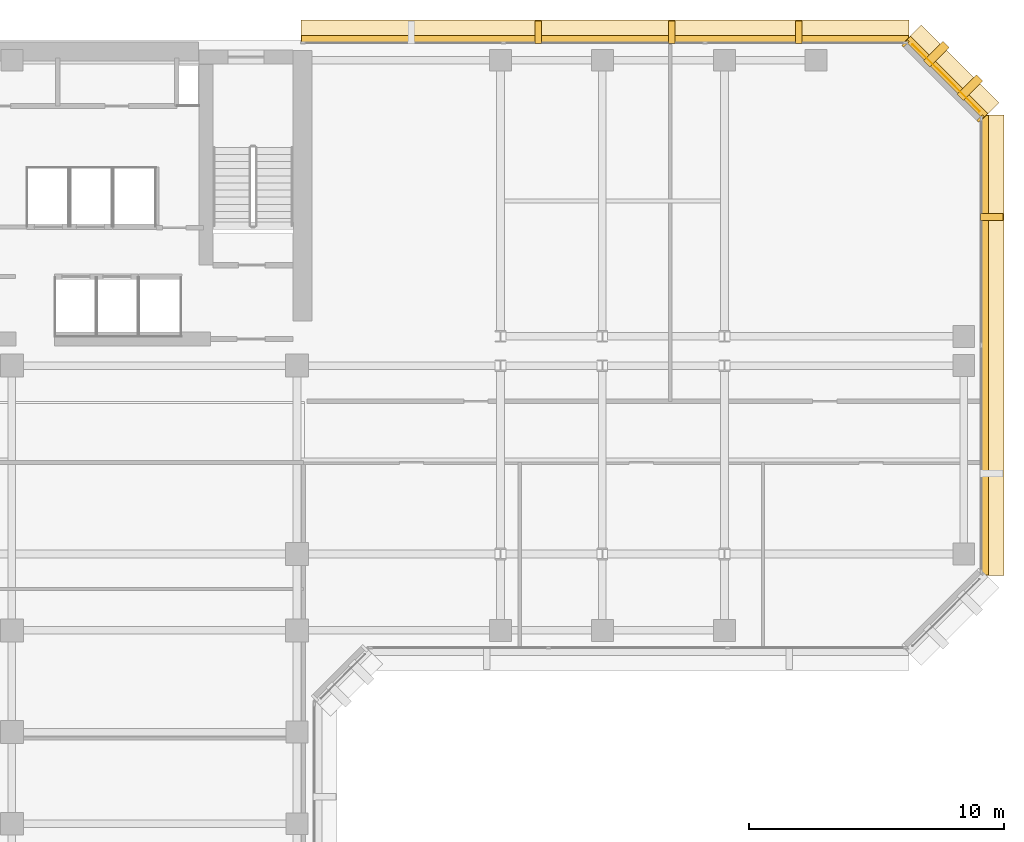
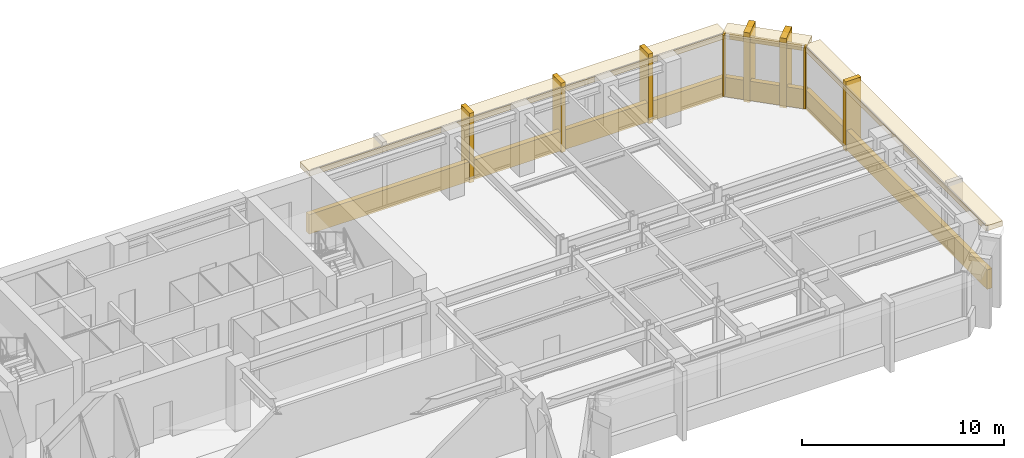
# One storey, part 11 of 11: 15 coverings.
"""IFC4 building model written with IfcOpenShell, lengths in metres."""

import ifcopenshell
import ifcopenshell.guid

model = None  # the IFC model being written
_history = None  # IfcOwnerHistory: only IFC2X3 demands one
_inside = {}  # id of a spatial element -> (the spatial element, [elements in it])
_under = {}  # id of a project, library or spatial element -> (it, [spatial elements below it])
_declared = {}  # id of a project -> (the project, [libraries it declares])
_typed = {}  # id of a type object -> (the type object, [elements of that type])
_made_of = {}  # id of a material, layer set ... -> (it, [elements and type objects made of it])


def new_model(schema):
    """Start an empty IFC model of exactly this schema.

    Asked for "IFC4X3", IfcOpenShell would pick the latest addendum, in which some entities
    have other attributes; the version numbers below select the first issue.
    IFC2X3 requires an IfcOwnerHistory on every rooted entity: one is made here for all.
    """
    global model, _history
    if schema == "IFC4X3":
        model = ifcopenshell.file(schema_version=(4, 3, 0, 0))
    else:
        model = ifcopenshell.file(schema=schema)
    _inside.clear()
    _under.clear()
    _declared.clear()
    _typed.clear()
    _made_of.clear()
    _history = None
    if model.schema == "IFC2X3":
        org = make("IfcOrganization", Name="unknown")
        user = make(
            "IfcPersonAndOrganization",
            ThePerson=make("IfcPerson", FamilyName="unknown"),
            TheOrganization=org,
        )
        app = make(
            "IfcApplication",
            ApplicationDeveloper=org,
            Version="unknown",
            ApplicationFullName="unknown",
            ApplicationIdentifier="unknown",
        )
        _history = make(
            "IfcOwnerHistory",
            OwningUser=user,
            OwningApplication=app,
            ChangeAction="ADDED",
            CreationDate=0,
        )
    return model


def make(cls, **values):
    """One entity of the class cls with the attributes given. An attribute that is None is left unset."""
    return model.create_entity(
        cls, **{name: value for name, value in values.items() if value is not None}
    )


def rooted(cls, **values):
    """An entity with a GlobalId (a new one), such as an element, a storey or a relation."""
    return make(cls, GlobalId=ifcopenshell.guid.new(), OwnerHistory=_history, **values)


def si_unit(unit_type, name, prefix=None):
    """IfcSIUnit, for example si_unit("LENGTHUNIT", "METRE", prefix="MILLI")."""
    return make("IfcSIUnit", UnitType=unit_type, Prefix=prefix, Name=name)


def assignment(units):
    """IfcUnitAssignment: the units of a project."""
    return None if units is None else make("IfcUnitAssignment", Units=units)


def point(xyz):
    """IfcCartesianPoint."""
    return None if xyz is None else make("IfcCartesianPoint", Coordinates=xyz)


def direction(xyz):
    """IfcDirection."""
    return None if xyz is None else make("IfcDirection", DirectionRatios=xyz)


def frame(location, z_axis=None, x_axis=None):
    """IfcAxis2Placement3D, a coordinate frame: its origin and axes. An axis left out is left unset."""
    return make(
        "IfcAxis2Placement3D",
        Location=point(location),
        Axis=direction(z_axis),
        RefDirection=direction(x_axis),
    )


def frame_2d(location, x_axis=None):
    """IfcAxis2Placement2D, a coordinate frame in the plane: its origin and x axis."""
    return make(
        "IfcAxis2Placement2D", Location=point(location), RefDirection=direction(x_axis)
    )


def origin():
    """The frame at (0, 0, 0) with its axes left unset."""
    return frame((0.0, 0.0, 0.0))


def origin_2d():
    """The frame at (0, 0) in the plane with its x axis left unset."""
    return frame_2d((0.0, 0.0))


def place(relative_to, where):
    """IfcLocalPlacement: puts the frame where relative to a parent placement (None: the world)."""
    return make(
        "IfcLocalPlacement", PlacementRelTo=relative_to, RelativePlacement=where
    )


def context(
    kind, dimensions, precision=None, world=None, true_north=None, identifier=None
):
    """IfcGeometricRepresentationContext, for example the 3D "Model" context."""
    return make(
        "IfcGeometricRepresentationContext",
        ContextIdentifier=identifier,
        ContextType=kind,
        CoordinateSpaceDimension=dimensions,
        Precision=precision,
        WorldCoordinateSystem=world,
        TrueNorth=true_north,
    )


def subcontext(parent, identifier, kind, view, scale=None):
    """IfcGeometricRepresentationSubContext, for example "Body" below "Model"."""
    return make(
        "IfcGeometricRepresentationSubContext",
        ContextIdentifier=identifier,
        ContextType=kind,
        ParentContext=parent,
        TargetScale=scale,
        TargetView=view,
    )


def project(units=None, contexts=None):
    """IfcProject with its units and contexts."""
    return rooted(
        "IfcProject",
        Name="project",
        RepresentationContexts=contexts,
        UnitsInContext=assignment(units),
    )


def spatial(cls, under=None, at=None, **own):
    """A site, building, storey or space (cls), placed at a placement, below another one or the project."""
    s = rooted(cls, ObjectPlacement=at, **own)
    if under is not None:
        _under.setdefault(under.id(), (under, []))[1].append(s)
    return s


def profile(cls, at=None, kind="AREA", **sizes):
    """A parametric profile (cls). Its sizes go by their IFC names, for example OverallWidth=200.0."""
    return make(cls, ProfileType=kind, Position=at, **sizes)


def rectangle(**sizes):
    """IfcRectangleProfileDef."""
    return profile("IfcRectangleProfileDef", **sizes)


def extrude(swept, where, along, depth):
    """IfcExtrudedAreaSolid: the profile swept, set in the frame where, extruded along a direction by depth."""
    return make(
        "IfcExtrudedAreaSolid",
        SweptArea=swept,
        Position=where,
        ExtrudedDirection=direction(along),
        Depth=depth,
    )


def shape(context_of_items, identifier, shape_type, items):
    """IfcShapeRepresentation: the items that make up one representation, for example the "Body"."""
    return make(
        "IfcShapeRepresentation",
        ContextOfItems=context_of_items,
        RepresentationIdentifier=identifier,
        RepresentationType=shape_type,
        Items=items,
    )


def material(Name=None, Category=None):
    """IfcMaterial."""
    return make("IfcMaterial", Name=Name, Category=Category)


def layer(
    of_material, thickness, ventilated=None, Name=None, Category=None, Priority=None
):
    """IfcMaterialLayer: one layer of a wall or slab, of a material (None: an air gap)."""
    return make(
        "IfcMaterialLayer",
        Material=of_material,
        LayerThickness=thickness,
        IsVentilated=ventilated,
        Name=Name,
        Category=Category,
        Priority=Priority,
    )


def layer_set(layers, Name=None):
    """IfcMaterialLayerSet."""
    return make("IfcMaterialLayerSet", MaterialLayers=layers, LayerSetName=Name)


def made_of(thing, what):
    """Note that an element or type object is made of a material, layer set ...; save() writes the relation."""
    if what is not None:
        _made_of.setdefault(what.id(), (what, []))[1].append(thing)
    return thing


def type_object(cls, material=None, **own):
    """A type object (cls), such as IfcWallType, which elements share."""
    return made_of(rooted(cls, **own), material)


def element(
    cls,
    number,
    at=None,
    inside=None,
    cuts=None,
    type_object=None,
    material=None,
    context=None,
    identifier="Body",
    shape_type=None,
    held_by="IfcProductDefinitionShape",
    body=None,
    shapes=None,
    **own,
):
    """One element of the class cls, such as IfcWall. Its Tag is "e" and its number.

    at: its placement. inside: the storey or other place that contains it. cuts: it is an
    opening in that element (IfcRelVoidsElement). A single representation is given by context,
    identifier, shape_type and body (its items); several are given by shapes. held_by: the class
    of the entity that holds the representations. save() writes the other relations.
    """
    e = rooted(cls, Tag="e%d" % number, ObjectPlacement=at, **own)
    if body is not None:
        shapes = [shape(context, identifier, shape_type, body)]
    if shapes is not None:
        e.Representation = make(held_by, Representations=shapes)
    if inside is not None:
        _inside.setdefault(inside.id(), (inside, []))[1].append(e)
    if cuts is not None:
        rooted(
            "IfcRelVoidsElement", RelatingBuildingElement=cuts, RelatedOpeningElement=e
        )
    if type_object is not None:
        _typed.setdefault(type_object.id(), (type_object, []))[1].append(e)
    return made_of(e, material)


def aggregate(whole, parts):
    """IfcRelAggregates: a whole, such as a stair, and the parts it consists of."""
    return rooted("IfcRelAggregates", RelatingObject=whole, RelatedObjects=parts)


def save(model, path):
    """Write the relations noted so far, then the file.

    IfcRelAggregates (storeys below a building ...), IfcRelContainedInSpatialStructure (elements
    in a storey), IfcRelDefinesByType, IfcRelAssociatesMaterial and IfcRelDeclares: one each for
    every whole, place, type object, material and project.
    """
    for whole, parts in _under.values():
        aggregate(whole, parts)
    for where, things in _inside.values():
        rooted(
            "IfcRelContainedInSpatialStructure",
            RelatedElements=things,
            RelatingStructure=where,
        )
    for kind, things in _typed.values():
        rooted("IfcRelDefinesByType", RelatedObjects=things, RelatingType=kind)
    for what, things in _made_of.values():
        rooted("IfcRelAssociatesMaterial", RelatedObjects=things, RelatingMaterial=what)
    for by, libraries in _declared.values():
        rooted("IfcRelDeclares", RelatingContext=by, RelatedDefinitions=libraries)
    model.write(path)


model = new_model("IFC4")

# Units and contexts
model_context = context("Model", 3, precision=1e-05, world=origin(), true_north=direction((0.0, 1.0)))
body_context = subcontext(model_context, "Body", "Model", "MODEL_VIEW")
ifc_project = project(units=[si_unit("LENGTHUNIT", "METRE"), si_unit("AREAUNIT", "SQUARE_METRE"), si_unit("VOLUMEUNIT", "CUBIC_METRE"), si_unit("PLANEANGLEUNIT", "RADIAN"), si_unit("MASSUNIT", "GRAM", prefix="KILO")], contexts=[model_context])

# Site, building, storey
site_placement = place(None, origin())
site = spatial("IfcSite", under=ifc_project, at=site_placement, CompositionType="ELEMENT")
building_placement = place(site_placement, origin())
building = spatial("IfcBuilding", under=site, at=building_placement, Name="Kefirva Bronze Tower", CompositionType="ELEMENT")
storey_placement = place(building_placement, frame((0.0, 0.0, 146.85009765625)))
storey = spatial("IfcBuildingStorey", under=building, at=storey_placement, Name="L35", CompositionType="ELEMENT", Elevation=146.85009765625)

# Coverings
ifc_material = material(Name="Bronze anodised aluminium", Category="aluminium")
ifc_layer_1 = layer(ifc_material, 0.02001953125, Name="Bronze anodised aluminium")
ifc_layer_set_1 = layer_set([ifc_layer_1], Name="Bronze anodised aluminium")
covering_type_1 = type_object("IfcCoveringType", Name="Anodised Bronze Spandrel Cladding 20mm", PredefinedType="CLADDING", material=ifc_layer_set_1)
covering_1_placement = place(storey_placement, frame((50.239990234375, 34.0, -0.16015625), z_axis=(0.0, 0.0, 1.0), x_axis=(0.0, 1.0, 0.0)))
element("IfcCovering", 1, at=covering_1_placement, inside=storey, type_object=covering_type_1, Name="L35 Streamline Horizontal Spandrel Band 10", PredefinedType="CLADDING", context=body_context, shape_type="SweptSolid", body=[
    extrude(rectangle(XDim=18.0400390625, YDim=0.280029296875, at=origin_2d()), origin(), (0.0, 0.0, 1.0), 1.179931640625),
])
covering_2_placement = place(storey_placement, frame((48.70703125, 44.507080078125, 3.2900390625), z_axis=(0.0, 0.0, 1.0), x_axis=(-0.707106781187, 0.707106781187, 0.0)))
element("IfcCovering", 2, at=covering_2_placement, inside=storey, type_object=covering_type_1, Name="L35 Bronze Spandrel Cladding 7", PredefinedType="CLADDING", context=body_context, shape_type="SweptSolid", body=[
    extrude(rectangle(XDim=3.719482421875, YDim=0.02001953125, at=origin_2d()), origin(), (0.0, 0.0, 1.0), 0.39990234375),
])
for number, where, z_axis, x_axis, name in (
    (3, (50.06201171875, 42.91162109375, 0.0), (0.0, 0.0, 1.0), (-0.707106781187, 0.707106781187, 0.0), "L35 Facade Joint Closure Panel 7S"),
    (4, (47.11181640625, 45.862060546875, 0.0), (0.0, 0.0, 1.0), (-0.707106781187, 0.707106781187, 0.0), "L35 Facade Joint Closure Panel 7E"),
):
    element("IfcCovering", number, at=place(storey_placement, frame(where, z_axis=z_axis, x_axis=x_axis)), inside=storey, type_object=covering_type_1, Name=name, PredefinedType="CLADDING", context=body_context, shape_type="SweptSolid", body=[
        extrude(rectangle(XDim=0.10009765625, YDim=0.320068359375, at=origin_2d()), origin(), (0.0, 0.0, 1.0), 3.7099609375),
    ])
covering_3_placement = place(storey_placement, frame((48.728271484375, 44.5283203125, -0.16015625), z_axis=(0.0, 0.0, 1.0), x_axis=(-0.707106781187, 0.707106781187, 0.0)))
element("IfcCovering", 5, at=covering_3_placement, inside=storey, type_object=covering_type_1, Name="L35 Streamline Horizontal Spandrel Band 11", PredefinedType="CLADDING", context=body_context, shape_type="SweptSolid", body=[
    extrude(rectangle(XDim=4.28271484375, YDim=0.280029296875, at=origin_2d()), origin(), (0.0, 0.0, 1.0), 1.179931640625),
])
covering_4_placement = place(storey_placement, frame((35.302490234375, 46.0400390625, -0.16015625), z_axis=(0.0, 0.0, 1.0), x_axis=(-1.0, 0.0, 0.0)))
element("IfcCovering", 6, at=covering_4_placement, inside=storey, type_object=covering_type_1, Name="L35 Streamline Horizontal Spandrel Band 12", PredefinedType="CLADDING", context=body_context, shape_type="SweptSolid", body=[
    extrude(rectangle(XDim=23.8349609375, YDim=0.280029296875, at=origin_2d()), origin(), (0.0, 0.0, 1.0), 1.179931640625),
])
ifc_layer_2 = layer(ifc_material, 0.179931640625, Name="Bronze anodised aluminium")
ifc_layer_set_2 = layer_set([ifc_layer_2], Name="Bronze anodised aluminium")
covering_type_2 = type_object("IfcCoveringType", Name="Streamline Bronze Sunshade Eyebrow Cladding 180mm", PredefinedType="CLADDING", material=ifc_layer_set_2)
covering_5_placement = place(storey_placement, frame((50.510009765625, 34.0, 3.3896484375), z_axis=(0.0, 0.0, 1.0), x_axis=(0.0, 1.0, 0.0)))
element("IfcCovering", 7, at=covering_5_placement, inside=storey, type_object=covering_type_2, Name="L35 Streamline Bronze Sunshade Eyebrow 10", PredefinedType="CLADDING", context=body_context, shape_type="SweptSolid", body=[
    extrude(rectangle(XDim=18.080078125, YDim=0.93994140625, at=origin_2d()), origin(), (0.0, 0.0, 1.0), 0.320068359375),
])
covering_6_placement = place(storey_placement, frame((48.919189453125, 44.71923828125, 3.3896484375), z_axis=(0.0, 0.0, 1.0), x_axis=(-0.707106781187, 0.707106781187, 0.0)))
element("IfcCovering", 8, at=covering_6_placement, inside=storey, type_object=covering_type_2, Name="L35 Streamline Bronze Sunshade Eyebrow 11", PredefinedType="CLADDING", context=body_context, shape_type="SweptSolid", body=[
    extrude(rectangle(XDim=4.322509765625, YDim=0.93994140625, at=origin_2d()), origin(), (0.0, 0.0, 1.0), 0.320068359375),
])
covering_7_placement = place(storey_placement, frame((35.302490234375, 46.31005859375, 3.3896484375), z_axis=(0.0, 0.0, 1.0), x_axis=(-1.0, 0.0, 0.0)))
element("IfcCovering", 9, at=covering_7_placement, inside=storey, type_object=covering_type_2, Name="L35 Streamline Bronze Sunshade Eyebrow 12", PredefinedType="CLADDING", context=body_context, shape_type="SweptSolid", body=[
    extrude(rectangle(XDim=23.875, YDim=0.93994140625, at=origin_2d()), origin(), (0.0, 0.0, 1.0), 0.320068359375),
])
ifc_layer_3 = layer(ifc_material, 0.260009765625, Name="Bronze anodised aluminium")
ifc_layer_set_3 = layer_set([ifc_layer_3], Name="Bronze anodised aluminium")
covering_type_3 = type_object("IfcCoveringType", Name="Unbroken Bronze Buttress Fin Cladding 260mm", PredefinedType="CLADDING", material=ifc_layer_set_3)
covering_8_placement = place(storey_placement, frame((50.5, 39.0400390625, -0.25), z_axis=(0.0, 0.0, 1.0), x_axis=(0.0, 1.0, 0.0)))
element("IfcCovering", 10, at=covering_8_placement, inside=storey, type_object=covering_type_3, Name="L35 Unbroken Vertical Bronze Rib Fin 14", PredefinedType="CLADDING", context=body_context, shape_type="SweptSolid", body=[
    extrude(rectangle(XDim=0.260009765625, YDim=0.8798828125, at=origin_2d()), origin(), (0.0, 0.0, 1.0), 4.2099609375),
])
for number, where, z_axis, x_axis, name in (
    (11, (49.642822265625, 44.122802734375, -0.25), (0.0, 0.0, 1.0), (-0.707106781187, 0.707106781187, 0.0), "L35 Chamfered Corner Buttress Fin Cladding 15"),
    (12, (48.32275390625, 45.44287109375, -0.25), (0.0, 0.0, 1.0), (-0.707106781187, 0.707106781187, 0.0), "L35 Chamfered Corner Buttress Fin Cladding 16"),
):
    element("IfcCovering", number, at=place(storey_placement, frame(where, z_axis=z_axis, x_axis=x_axis)), inside=storey, type_object=covering_type_3, Name=name, PredefinedType="CLADDING", context=body_context, shape_type="SweptSolid", body=[
        extrude(rectangle(XDim=0.340087890625, YDim=1.080078125, at=origin_2d()), origin(), (0.0, 0.0, 1.0), 4.2099609375),
    ])
for number, where, z_axis, x_axis, name in (
    (13, (42.9169921875, 46.300048828125, -0.25), (0.0, 0.0, 1.0), (-1.0, 0.0, 0.0), "L35 Unbroken Vertical Bronze Rib Fin 17"),
    (14, (37.919921875, 46.300048828125, -0.25), (0.0, 0.0, 1.0), (-1.0, 0.0, 0.0), "L35 Unbroken Vertical Bronze Rib Fin 18"),
    (15, (32.68505859375, 46.300048828125, -0.25), (0.0, 0.0, 1.0), (-1.0, 0.0, 0.0), "L35 Unbroken Vertical Bronze Rib Fin 19"),
):
    element("IfcCovering", number, at=place(storey_placement, frame(where, z_axis=z_axis, x_axis=x_axis)), inside=storey, type_object=covering_type_3, Name=name, PredefinedType="CLADDING", context=body_context, shape_type="SweptSolid", body=[
        extrude(rectangle(XDim=0.260009765625, YDim=0.8798828125, at=origin_2d()), origin(), (0.0, 0.0, 1.0), 4.2099609375),
    ])

save(model, "model.ifc")
